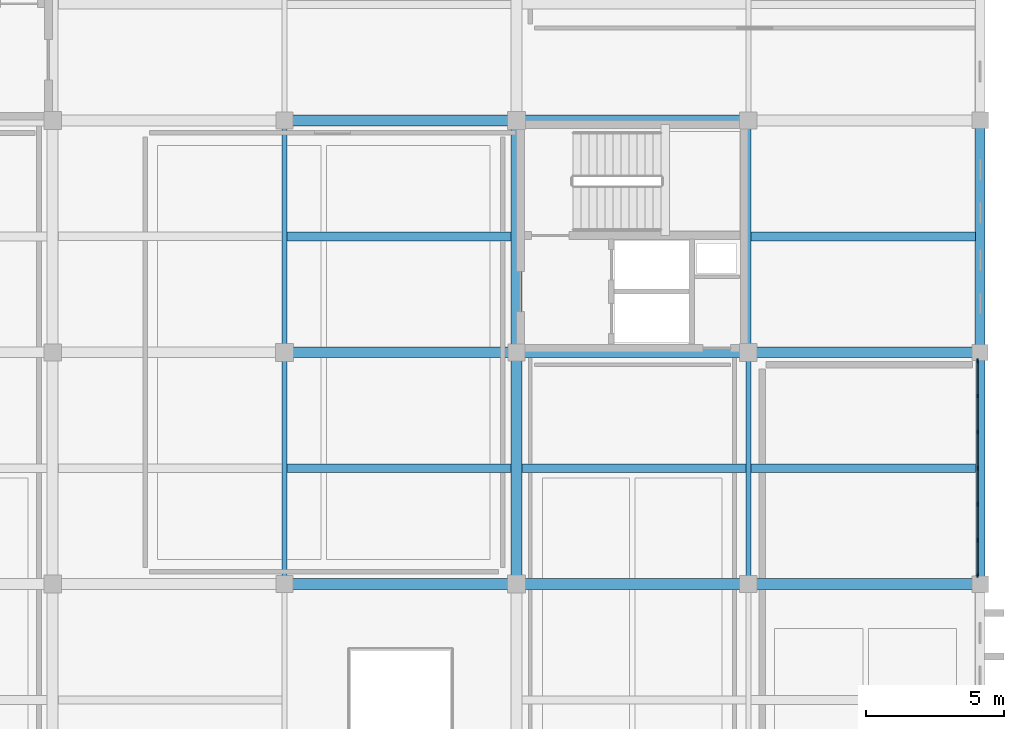
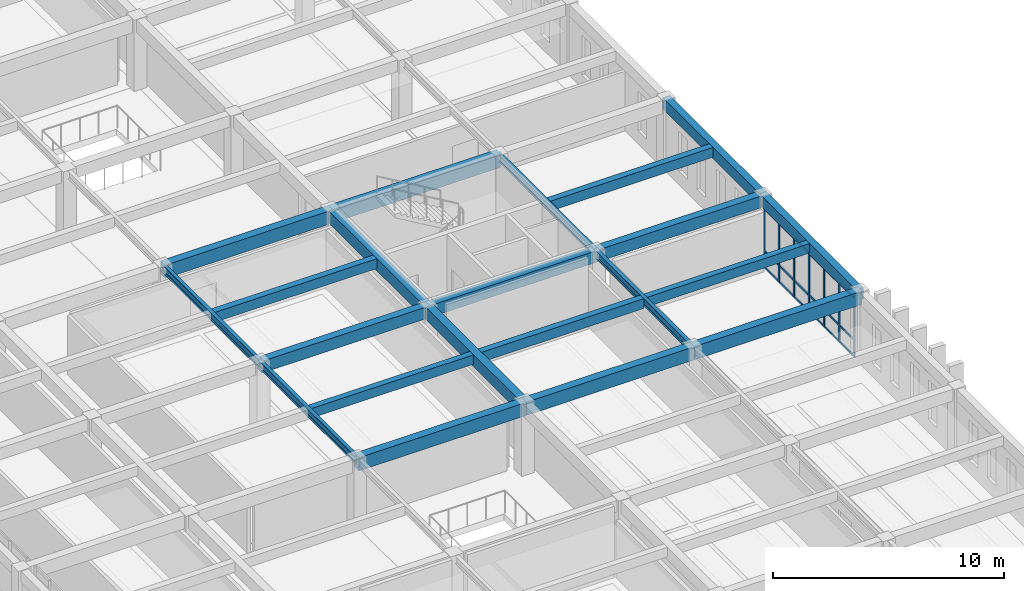
# One storey, part 19 of 47: 25 members, 21 beams, 1 element without a shape of its own.
"""IFC4 building model written with IfcOpenShell, lengths in metres."""

from ifc_helpers import new_model, si_unit, direction, frame, origin, origin_2d, place, context, subcontext, project, spatial, rectangle, i_section, extrude, material, layer, layer_set, material_profile, profile_set, type_object, element, aggregate, save


model = new_model("IFC4")

# Units and contexts
model_context = context("Model", 3, precision=1e-05, world=origin(), true_north=direction((0.0, 1.0)))
body_context = subcontext(model_context, "Body", "Model", "MODEL_VIEW")
ifc_project = project(units=[si_unit("LENGTHUNIT", "METRE"), si_unit("AREAUNIT", "SQUARE_METRE"), si_unit("VOLUMEUNIT", "CUBIC_METRE"), si_unit("PLANEANGLEUNIT", "RADIAN"), si_unit("MASSUNIT", "GRAM", prefix="KILO")], contexts=[model_context])

# Site, building, storey
site_placement = place(None, origin())
site = spatial("IfcSite", under=ifc_project, at=site_placement, CompositionType="ELEMENT")
building_placement = place(site_placement, origin())
building = spatial("IfcBuilding", under=site, at=building_placement, Name="Kveldsbrygga Polytechnic", CompositionType="ELEMENT")
storey_placement = place(building_placement, frame((0.0, 0.0, 13.93994140625)))
storey = spatial("IfcBuildingStorey", under=building, at=storey_placement, Name="L03", CompositionType="ELEMENT", Elevation=13.93994140625)

# Beams
ifc_material_1 = material(Name="Concrete C35/45", Category="concrete")
ifc_material_profile_1 = material_profile(ifc_material_1, rectangle(XDim=0.3798828125, YDim=0.6201171875, at=origin_2d()), Name="RC 380x620")
ifc_profile_set_1 = profile_set([ifc_material_profile_1], Name="Concrete C35/45")
beam_type_1 = type_object("IfcBeamType", Name="BM-RC-380x620", PredefinedType="BEAM", material=ifc_profile_set_1)
beam_1_placement = place(storey_placement, frame((142.800048828125, 75.60009765625, 3.43994140625), z_axis=(1.0, 0.0, 0.0), x_axis=(0.0, 1.0, 0.0)))
element("IfcBeam", 1, at=beam_1_placement, inside=storey, type_object=beam_type_1, Name="Primary Beam BMX-L03-17to18-09", PredefinedType="BEAM", context=body_context, shape_type="SweptSolid", body=[
    extrude(rectangle(XDim=0.3798828125, YDim=0.6201171875, at=origin_2d()), origin(), (0.0, 0.0, 1.0), 8.39990234375),
])
beam_2_placement = place(storey_placement, frame((151.199951171875, 75.60009765625, 3.43994140625), z_axis=(1.0, 0.0, 0.0), x_axis=(0.0, 1.0, 0.0)))
element("IfcBeam", 2, at=beam_2_placement, inside=storey, type_object=beam_type_1, Name="Primary Beam BMX-L03-18to19-09", PredefinedType="BEAM", context=body_context, shape_type="SweptSolid", body=[
    extrude(rectangle(XDim=0.3798828125, YDim=0.6201171875, at=origin_2d()), origin(), (0.0, 0.0, 1.0), 8.400146484375),
])
beam_3_placement = place(storey_placement, frame((159.60009765625, 75.60009765625, 3.43994140625), z_axis=(1.0, 0.0, 0.0), x_axis=(0.0, 1.0, 0.0)))
element("IfcBeam", 3, at=beam_3_placement, inside=storey, type_object=beam_type_1, Name="Primary Beam BMX-L03-19to20-09", PredefinedType="BEAM", context=body_context, shape_type="SweptSolid", body=[
    extrude(rectangle(XDim=0.3798828125, YDim=0.6201171875, at=origin_2d()), origin(), (0.0, 0.0, 1.0), 8.39990234375),
])
ifc_material_profile_2 = material_profile(ifc_material_1, rectangle(XDim=0.39990234375, YDim=0.64990234375, at=origin_2d()), Name="RC 400x650")
ifc_profile_set_2 = profile_set([ifc_material_profile_2], Name="Concrete C35/45")
beam_type_2 = type_object("IfcBeamType", Name="BM-RC-400x650", PredefinedType="BEAM", material=ifc_profile_set_2)
beam_4_placement = place(storey_placement, frame((151.199951171875, 67.199951171875, 3.425048828125), z_axis=(0.0, 1.0, 0.0), x_axis=(-1.0, 0.0, 0.0)))
element("IfcBeam", 4, at=beam_4_placement, inside=storey, type_object=beam_type_2, Name="Primary Beam BMY-L03-18-08to09", PredefinedType="BEAM", context=body_context, shape_type="SweptSolid", body=[
    extrude(rectangle(XDim=0.39990234375, YDim=0.64990234375, at=origin_2d()), origin(), (0.0, 0.0, 1.0), 8.400146484375),
])
beam_5_placement = place(storey_placement, frame((151.199951171875, 75.60009765625, 3.425048828125), z_axis=(0.0, 1.0, 0.0), x_axis=(-1.0, 0.0, 0.0)))
element("IfcBeam", 5, at=beam_5_placement, inside=storey, type_object=beam_type_2, Name="Primary Beam BMY-L03-18-09to10", PredefinedType="BEAM", context=body_context, shape_type="SweptSolid", body=[
    extrude(rectangle(XDim=0.39990234375, YDim=0.64990234375, at=origin_2d()), origin(), (0.0, 0.0, 1.0), 8.39990234375),
])
ifc_material_profile_3 = material_profile(ifc_material_1, rectangle(XDim=0.39990234375, YDim=0.699951171875, at=origin_2d()), Name="RC 400x700")
ifc_profile_set_3 = profile_set([ifc_material_profile_3], Name="Concrete C35/45")
beam_type_3 = type_object("IfcBeamType", Name="BM-RC-400x700", PredefinedType="BEAM", material=ifc_profile_set_3)
beam_6_placement = place(storey_placement, frame((142.800048828125, 67.199951171875, 3.400146484375), z_axis=(1.0, 0.0, 0.0), x_axis=(0.0, 1.0, 0.0)))
element("IfcBeam", 6, at=beam_6_placement, inside=storey, type_object=beam_type_3, Name="Primary Beam BMX-L03-17to18-08", PredefinedType="BEAM", context=body_context, shape_type="SweptSolid", body=[
    extrude(rectangle(XDim=0.39990234375, YDim=0.699951171875, at=origin_2d()), origin(), (0.0, 0.0, 1.0), 8.39990234375),
])
beam_7_placement = place(storey_placement, frame((151.199951171875, 67.199951171875, 3.400146484375), z_axis=(1.0, 0.0, 0.0), x_axis=(0.0, 1.0, 0.0)))
element("IfcBeam", 7, at=beam_7_placement, inside=storey, type_object=beam_type_3, Name="Primary Beam BMX-L03-18to19-08", PredefinedType="BEAM", context=body_context, shape_type="SweptSolid", body=[
    extrude(rectangle(XDim=0.39990234375, YDim=0.699951171875, at=origin_2d()), origin(), (0.0, 0.0, 1.0), 8.400146484375),
])
for number, where, z_axis, x_axis, name in (
    (8, (159.60009765625, 67.199951171875, 3.400146484375), (1.0, 0.0, 0.0), (0.0, 1.0, 0.0), "Primary Beam BMX-L03-19to20-08"),
    (9, (142.800048828125, 84.0, 3.400146484375), (1.0, 0.0, 0.0), (0.0, 1.0, 0.0), "Primary Beam BMX-L03-17to18-10"),
):
    element("IfcBeam", number, at=place(storey_placement, frame(where, z_axis=z_axis, x_axis=x_axis)), inside=storey, type_object=beam_type_3, Name=name, PredefinedType="BEAM", context=body_context, shape_type="SweptSolid", body=[
        extrude(rectangle(XDim=0.39990234375, YDim=0.699951171875, at=origin_2d()), origin(), (0.0, 0.0, 1.0), 8.39990234375),
    ])
beam_8_placement = place(storey_placement, frame((151.199951171875, 84.0, 3.400146484375), z_axis=(1.0, 0.0, 0.0), x_axis=(0.0, 1.0, 0.0)))
element("IfcBeam", 10, at=beam_8_placement, inside=storey, type_object=beam_type_3, Name="Primary Beam BMX-L03-18to19-10", PredefinedType="BEAM", context=body_context, shape_type="SweptSolid", body=[
    extrude(rectangle(XDim=0.39990234375, YDim=0.699951171875, at=origin_2d()), origin(), (0.0, 0.0, 1.0), 8.400146484375),
])
ifc_material_profile_4 = material_profile(ifc_material_1, rectangle(XDim=0.35009765625, YDim=0.60009765625, at=origin_2d()), Name="RC 350x600")
ifc_profile_set_4 = profile_set([ifc_material_profile_4], Name="Concrete C35/45")
beam_type_4 = type_object("IfcBeamType", Name="BM-SPANDREL-600", PredefinedType="T_BEAM", material=ifc_profile_set_4)
beam_9_placement = place(storey_placement, frame((168.0, 67.199951171875, 3.449951171875), z_axis=(0.0, 1.0, 0.0), x_axis=(-1.0, 0.0, 0.0)))
element("IfcBeam", 11, at=beam_9_placement, inside=storey, type_object=beam_type_4, Name="Primary Beam BMY-L03-20-08to09", PredefinedType="T_BEAM", context=body_context, shape_type="SweptSolid", body=[
    extrude(rectangle(XDim=0.35009765625, YDim=0.60009765625, at=origin_2d()), origin(), (0.0, 0.0, 1.0), 8.400146484375),
])
beam_10_placement = place(storey_placement, frame((168.0, 75.60009765625, 3.449951171875), z_axis=(0.0, 1.0, 0.0), x_axis=(-1.0, 0.0, 0.0)))
element("IfcBeam", 12, at=beam_10_placement, inside=storey, type_object=beam_type_4, Name="Primary Beam BMY-L03-20-09to10", PredefinedType="T_BEAM", context=body_context, shape_type="SweptSolid", body=[
    extrude(rectangle(XDim=0.35009765625, YDim=0.60009765625, at=origin_2d()), origin(), (0.0, 0.0, 1.0), 8.39990234375),
])
ifc_material_2 = material(Name="Steel S355", Category="steel")
ifc_material_profile_5 = material_profile(ifc_material_2, i_section(OverallWidth=0.179931640625, OverallDepth=0.39990234375, WebThickness=0.008544921875, FlangeThickness=0.013427734375, FilletRadius=0.02099609375, at=origin_2d()), Name="IPE 400")
ifc_profile_set_5 = profile_set([ifc_material_profile_5], Name="Steel S355")
beam_type_5 = type_object("IfcBeamType", Name="BM-STL-IPE400", PredefinedType="BEAM", material=ifc_profile_set_5)
beam_11_placement = place(storey_placement, frame((142.800048828125, 67.199951171875, 3.550048828125), z_axis=(0.0, 1.0, 0.0), x_axis=(-1.0, 0.0, 0.0)))
element("IfcBeam", 13, at=beam_11_placement, inside=storey, type_object=beam_type_5, Name="Primary Beam BMY-L03-17-08to09", PredefinedType="BEAM", context=body_context, shape_type="SweptSolid", body=[
    extrude(i_section(OverallWidth=0.179931640625, OverallDepth=0.39990234375, WebThickness=0.008544921875, FlangeThickness=0.013427734375, FilletRadius=0.02099609375, at=origin_2d()), origin(), (0.0, 0.0, 1.0), 8.400146484375),
])
beam_12_placement = place(storey_placement, frame((142.800048828125, 75.60009765625, 3.550048828125), z_axis=(0.0, 1.0, 0.0), x_axis=(-1.0, 0.0, 0.0)))
element("IfcBeam", 14, at=beam_12_placement, inside=storey, type_object=beam_type_5, Name="Primary Beam BMY-L03-17-09to10", PredefinedType="BEAM", context=body_context, shape_type="SweptSolid", body=[
    extrude(i_section(OverallWidth=0.179931640625, OverallDepth=0.39990234375, WebThickness=0.008544921875, FlangeThickness=0.013427734375, FilletRadius=0.02099609375, at=origin_2d()), origin(), (0.0, 0.0, 1.0), 8.39990234375),
])
beam_13_placement = place(storey_placement, frame((159.60009765625, 67.199951171875, 3.550048828125), z_axis=(0.0, 1.0, 0.0), x_axis=(-1.0, 0.0, 0.0)))
element("IfcBeam", 15, at=beam_13_placement, inside=storey, type_object=beam_type_5, Name="Primary Beam BMY-L03-19-08to09", PredefinedType="BEAM", context=body_context, shape_type="SweptSolid", body=[
    extrude(i_section(OverallWidth=0.179931640625, OverallDepth=0.39990234375, WebThickness=0.008544921875, FlangeThickness=0.013427734375, FilletRadius=0.02099609375, at=origin_2d()), origin(), (0.0, 0.0, 1.0), 8.400146484375),
])
beam_14_placement = place(storey_placement, frame((159.60009765625, 75.60009765625, 3.550048828125), z_axis=(0.0, 1.0, 0.0), x_axis=(-1.0, 0.0, 0.0)))
element("IfcBeam", 16, at=beam_14_placement, inside=storey, type_object=beam_type_5, Name="Primary Beam BMY-L03-19-09to10", PredefinedType="BEAM", context=body_context, shape_type="SweptSolid", body=[
    extrude(i_section(OverallWidth=0.179931640625, OverallDepth=0.39990234375, WebThickness=0.008544921875, FlangeThickness=0.013427734375, FilletRadius=0.02099609375, at=origin_2d()), origin(), (0.0, 0.0, 1.0), 8.39990234375),
])

# Curtain wall, members
ifc_material_3 = material(Name="Anodised aluminium AW-6060", Category="aluminium")
ifc_layer = layer(ifc_material_3, 0.179931640625)
ifc_layer_set = layer_set([ifc_layer], Name="Anodised aluminium AW-6060")
curtain_wall_type = type_object("IfcCurtainWallType", Name="CW-CONC-A", PredefinedType="USERDEFINED", material=ifc_layer_set)
curtain_wall_placement = place(storey_placement, origin())
curtain_wall = element("IfcCurtainWall", 17, at=curtain_wall_placement, inside=storey, type_object=curtain_wall_type, Name="Curtain Wall CW-L03-Y-20-08", ObjectType="UNITISED CURTAIN WALL", PredefinedType="USERDEFINED")
ifc_material_profile_6 = material_profile(ifc_material_3, rectangle(XDim=0.06005859375, YDim=0.139892578125, at=origin_2d()), Name="ALU 60x140")
ifc_profile_set_6 = profile_set([ifc_material_profile_6], Name="Anodised aluminium AW-6060")
member_type_1 = type_object("IfcMemberType", Name="CW-MUL-140", PredefinedType="MULLION", material=ifc_profile_set_6)
member_1_placement = place(storey_placement, frame((167.89990234375, 67.514892578125, 0.0), z_axis=(0.0, 0.0, 1.0), x_axis=(-1.0, 0.0, 0.0)))
member_1 = element("IfcMember", 18, at=member_1_placement, type_object=member_type_1, Name="CW-01 mullion 1", PredefinedType="MULLION", context=body_context, shape_type="SweptSolid", body=[
    extrude(rectangle(XDim=0.06005859375, YDim=0.139892578125, at=origin_2d()), origin(), (0.0, 0.0, 1.0), 3.150146484375),
])
member_2_placement = place(storey_placement, frame((167.89990234375, 68.791748046875, 0.0), z_axis=(0.0, 0.0, 1.0), x_axis=(-1.0, 0.0, 0.0)))
member_2 = element("IfcMember", 19, at=member_2_placement, type_object=member_type_1, Name="CW-01 mullion 2", PredefinedType="MULLION", context=body_context, shape_type="SweptSolid", body=[
    extrude(rectangle(XDim=0.06005859375, YDim=0.139892578125, at=origin_2d()), origin(), (0.0, 0.0, 1.0), 3.150146484375),
])
member_3_placement = place(storey_placement, frame((167.89990234375, 70.098388671875, 0.0), z_axis=(0.0, 0.0, 1.0), x_axis=(-1.0, 0.0, 0.0)))
member_3 = element("IfcMember", 20, at=member_3_placement, type_object=member_type_1, Name="CW-01 mullion 3", PredefinedType="MULLION", context=body_context, shape_type="SweptSolid", body=[
    extrude(rectangle(XDim=0.06005859375, YDim=0.139892578125, at=origin_2d()), origin(), (0.0, 0.0, 1.0), 3.150146484375),
])
member_4_placement = place(storey_placement, frame((167.89990234375, 71.405029296875, 0.0), z_axis=(0.0, 0.0, 1.0), x_axis=(-1.0, 0.0, 0.0)))
member_4 = element("IfcMember", 21, at=member_4_placement, type_object=member_type_1, Name="CW-01 mullion 4", PredefinedType="MULLION", context=body_context, shape_type="SweptSolid", body=[
    extrude(rectangle(XDim=0.06005859375, YDim=0.139892578125, at=origin_2d()), origin(), (0.0, 0.0, 1.0), 3.150146484375),
])
member_5_placement = place(storey_placement, frame((167.89990234375, 72.711669921875, 0.0), z_axis=(0.0, 0.0, 1.0), x_axis=(-1.0, 0.0, 0.0)))
member_5 = element("IfcMember", 22, at=member_5_placement, type_object=member_type_1, Name="CW-01 mullion 5", PredefinedType="MULLION", context=body_context, shape_type="SweptSolid", body=[
    extrude(rectangle(XDim=0.06005859375, YDim=0.139892578125, at=origin_2d()), origin(), (0.0, 0.0, 1.0), 3.150146484375),
])
member_6_placement = place(storey_placement, frame((167.89990234375, 74.018310546875, 0.0), z_axis=(0.0, 0.0, 1.0), x_axis=(-1.0, 0.0, 0.0)))
member_6 = element("IfcMember", 23, at=member_6_placement, type_object=member_type_1, Name="CW-01 mullion 6", PredefinedType="MULLION", context=body_context, shape_type="SweptSolid", body=[
    extrude(rectangle(XDim=0.06005859375, YDim=0.139892578125, at=origin_2d()), origin(), (0.0, 0.0, 1.0), 3.150146484375),
])
member_7_placement = place(storey_placement, frame((167.89990234375, 75.294921875, 0.0), z_axis=(0.0, 0.0, 1.0), x_axis=(-1.0, 0.0, 0.0)))
member_7 = element("IfcMember", 24, at=member_7_placement, type_object=member_type_1, Name="CW-01 mullion 7", PredefinedType="MULLION", context=body_context, shape_type="SweptSolid", body=[
    extrude(rectangle(XDim=0.06005859375, YDim=0.139892578125, at=origin_2d()), origin(), (0.0, 0.0, 1.0), 3.150146484375),
])
ifc_material_profile_7 = material_profile(ifc_material_3, rectangle(XDim=0.06005859375, YDim=0.1201171875, at=origin_2d()), Name="ALU 60x120")
ifc_profile_set_7 = profile_set([ifc_material_profile_7], Name="Anodised aluminium AW-6060")
member_type_2 = type_object("IfcMemberType", Name="CW-TRN-120", PredefinedType="USERDEFINED", material=ifc_profile_set_7)
member_8_placement = place(storey_placement, frame((167.89990234375, 67.544921875, 0.030029296875), z_axis=(0.0, 1.0, 0.0), x_axis=(-1.0, 0.0, 0.0)))
member_8 = element("IfcMember", 25, at=member_8_placement, type_object=member_type_2, Name="CW-01 transom 1.1", ObjectType="TRANSOM", PredefinedType="USERDEFINED", context=body_context, shape_type="SweptSolid", body=[
    extrude(rectangle(XDim=0.06005859375, YDim=0.1201171875, at=origin_2d()), origin(), (0.0, 0.0, 1.0), 1.216796875),
])
member_9_placement = place(storey_placement, frame((167.89990234375, 67.544921875, 0.900146484375), z_axis=(0.0, 1.0, 0.0), x_axis=(-1.0, 0.0, 0.0)))
member_9 = element("IfcMember", 26, at=member_9_placement, type_object=member_type_2, Name="CW-01 transom 1.2", ObjectType="TRANSOM", PredefinedType="USERDEFINED", context=body_context, shape_type="SweptSolid", body=[
    extrude(rectangle(XDim=0.06005859375, YDim=0.1201171875, at=origin_2d()), origin(), (0.0, 0.0, 1.0), 1.216796875),
])
member_10_placement = place(storey_placement, frame((167.89990234375, 67.544921875, 3.1201171875), z_axis=(0.0, 1.0, 0.0), x_axis=(-1.0, 0.0, 0.0)))
member_10 = element("IfcMember", 27, at=member_10_placement, type_object=member_type_2, Name="CW-01 transom 1.3", ObjectType="TRANSOM", PredefinedType="USERDEFINED", context=body_context, shape_type="SweptSolid", body=[
    extrude(rectangle(XDim=0.06005859375, YDim=0.1201171875, at=origin_2d()), origin(), (0.0, 0.0, 1.0), 1.216796875),
])
member_11_placement = place(storey_placement, frame((167.89990234375, 68.82177734375, 0.030029296875), z_axis=(0.0, 1.0, 0.0), x_axis=(-1.0, 0.0, 0.0)))
member_11 = element("IfcMember", 28, at=member_11_placement, type_object=member_type_2, Name="CW-01 transom 2.1", ObjectType="TRANSOM", PredefinedType="USERDEFINED", context=body_context, shape_type="SweptSolid", body=[
    extrude(rectangle(XDim=0.06005859375, YDim=0.1201171875, at=origin_2d()), origin(), (0.0, 0.0, 1.0), 1.24658203125),
])
member_12_placement = place(storey_placement, frame((167.89990234375, 68.82177734375, 0.900146484375), z_axis=(0.0, 1.0, 0.0), x_axis=(-1.0, 0.0, 0.0)))
member_12 = element("IfcMember", 29, at=member_12_placement, type_object=member_type_2, Name="CW-01 transom 2.2", ObjectType="TRANSOM", PredefinedType="USERDEFINED", context=body_context, shape_type="SweptSolid", body=[
    extrude(rectangle(XDim=0.06005859375, YDim=0.1201171875, at=origin_2d()), origin(), (0.0, 0.0, 1.0), 1.24658203125),
])
member_13_placement = place(storey_placement, frame((167.89990234375, 68.82177734375, 3.1201171875), z_axis=(0.0, 1.0, 0.0), x_axis=(-1.0, 0.0, 0.0)))
member_13 = element("IfcMember", 30, at=member_13_placement, type_object=member_type_2, Name="CW-01 transom 2.3", ObjectType="TRANSOM", PredefinedType="USERDEFINED", context=body_context, shape_type="SweptSolid", body=[
    extrude(rectangle(XDim=0.06005859375, YDim=0.1201171875, at=origin_2d()), origin(), (0.0, 0.0, 1.0), 1.24658203125),
])
member_14_placement = place(storey_placement, frame((167.89990234375, 70.12841796875, 0.030029296875), z_axis=(0.0, 1.0, 0.0), x_axis=(-1.0, 0.0, 0.0)))
member_14 = element("IfcMember", 31, at=member_14_placement, type_object=member_type_2, Name="CW-01 transom 3.1", ObjectType="TRANSOM", PredefinedType="USERDEFINED", context=body_context, shape_type="SweptSolid", body=[
    extrude(rectangle(XDim=0.06005859375, YDim=0.1201171875, at=origin_2d()), origin(), (0.0, 0.0, 1.0), 1.24658203125),
])
member_15_placement = place(storey_placement, frame((167.89990234375, 70.12841796875, 0.900146484375), z_axis=(0.0, 1.0, 0.0), x_axis=(-1.0, 0.0, 0.0)))
member_15 = element("IfcMember", 32, at=member_15_placement, type_object=member_type_2, Name="CW-01 transom 3.2", ObjectType="TRANSOM", PredefinedType="USERDEFINED", context=body_context, shape_type="SweptSolid", body=[
    extrude(rectangle(XDim=0.06005859375, YDim=0.1201171875, at=origin_2d()), origin(), (0.0, 0.0, 1.0), 1.24658203125),
])
member_16_placement = place(storey_placement, frame((167.89990234375, 70.12841796875, 3.1201171875), z_axis=(0.0, 1.0, 0.0), x_axis=(-1.0, 0.0, 0.0)))
member_16 = element("IfcMember", 33, at=member_16_placement, type_object=member_type_2, Name="CW-01 transom 3.3", ObjectType="TRANSOM", PredefinedType="USERDEFINED", context=body_context, shape_type="SweptSolid", body=[
    extrude(rectangle(XDim=0.06005859375, YDim=0.1201171875, at=origin_2d()), origin(), (0.0, 0.0, 1.0), 1.24658203125),
])
member_17_placement = place(storey_placement, frame((167.89990234375, 71.43505859375, 0.030029296875), z_axis=(0.0, 1.0, 0.0), x_axis=(-1.0, 0.0, 0.0)))
member_17 = element("IfcMember", 34, at=member_17_placement, type_object=member_type_2, Name="CW-01 transom 4.1", ObjectType="TRANSOM", PredefinedType="USERDEFINED", context=body_context, shape_type="SweptSolid", body=[
    extrude(rectangle(XDim=0.06005859375, YDim=0.1201171875, at=origin_2d()), origin(), (0.0, 0.0, 1.0), 1.24658203125),
])
member_18_placement = place(storey_placement, frame((167.89990234375, 71.43505859375, 0.900146484375), z_axis=(0.0, 1.0, 0.0), x_axis=(-1.0, 0.0, 0.0)))
member_18 = element("IfcMember", 35, at=member_18_placement, type_object=member_type_2, Name="CW-01 transom 4.2", ObjectType="TRANSOM", PredefinedType="USERDEFINED", context=body_context, shape_type="SweptSolid", body=[
    extrude(rectangle(XDim=0.06005859375, YDim=0.1201171875, at=origin_2d()), origin(), (0.0, 0.0, 1.0), 1.24658203125),
])
member_19_placement = place(storey_placement, frame((167.89990234375, 71.43505859375, 3.1201171875), z_axis=(0.0, 1.0, 0.0), x_axis=(-1.0, 0.0, 0.0)))
member_19 = element("IfcMember", 36, at=member_19_placement, type_object=member_type_2, Name="CW-01 transom 4.3", ObjectType="TRANSOM", PredefinedType="USERDEFINED", context=body_context, shape_type="SweptSolid", body=[
    extrude(rectangle(XDim=0.06005859375, YDim=0.1201171875, at=origin_2d()), origin(), (0.0, 0.0, 1.0), 1.24658203125),
])
member_20_placement = place(storey_placement, frame((167.89990234375, 72.74169921875, 0.030029296875), z_axis=(0.0, 1.0, 0.0), x_axis=(-1.0, 0.0, 0.0)))
member_20 = element("IfcMember", 37, at=member_20_placement, type_object=member_type_2, Name="CW-01 transom 5.1", ObjectType="TRANSOM", PredefinedType="USERDEFINED", context=body_context, shape_type="SweptSolid", body=[
    extrude(rectangle(XDim=0.06005859375, YDim=0.1201171875, at=origin_2d()), origin(), (0.0, 0.0, 1.0), 1.24658203125),
])
member_21_placement = place(storey_placement, frame((167.89990234375, 72.74169921875, 0.900146484375), z_axis=(0.0, 1.0, 0.0), x_axis=(-1.0, 0.0, 0.0)))
member_21 = element("IfcMember", 38, at=member_21_placement, type_object=member_type_2, Name="CW-01 transom 5.2", ObjectType="TRANSOM", PredefinedType="USERDEFINED", context=body_context, shape_type="SweptSolid", body=[
    extrude(rectangle(XDim=0.06005859375, YDim=0.1201171875, at=origin_2d()), origin(), (0.0, 0.0, 1.0), 1.24658203125),
])
member_22_placement = place(storey_placement, frame((167.89990234375, 72.74169921875, 3.1201171875), z_axis=(0.0, 1.0, 0.0), x_axis=(-1.0, 0.0, 0.0)))
member_22 = element("IfcMember", 39, at=member_22_placement, type_object=member_type_2, Name="CW-01 transom 5.3", ObjectType="TRANSOM", PredefinedType="USERDEFINED", context=body_context, shape_type="SweptSolid", body=[
    extrude(rectangle(XDim=0.06005859375, YDim=0.1201171875, at=origin_2d()), origin(), (0.0, 0.0, 1.0), 1.24658203125),
])
member_23_placement = place(storey_placement, frame((167.89990234375, 74.04833984375, 0.030029296875), z_axis=(0.0, 1.0, 0.0), x_axis=(-1.0, 0.0, 0.0)))
member_23 = element("IfcMember", 40, at=member_23_placement, type_object=member_type_2, Name="CW-01 transom 6.1", ObjectType="TRANSOM", PredefinedType="USERDEFINED", context=body_context, shape_type="SweptSolid", body=[
    extrude(rectangle(XDim=0.06005859375, YDim=0.1201171875, at=origin_2d()), origin(), (0.0, 0.0, 1.0), 1.216552734375),
])
member_24_placement = place(storey_placement, frame((167.89990234375, 74.04833984375, 0.900146484375), z_axis=(0.0, 1.0, 0.0), x_axis=(-1.0, 0.0, 0.0)))
member_24 = element("IfcMember", 41, at=member_24_placement, type_object=member_type_2, Name="CW-01 transom 6.2", ObjectType="TRANSOM", PredefinedType="USERDEFINED", context=body_context, shape_type="SweptSolid", body=[
    extrude(rectangle(XDim=0.06005859375, YDim=0.1201171875, at=origin_2d()), origin(), (0.0, 0.0, 1.0), 1.216552734375),
])
member_25_placement = place(storey_placement, frame((167.89990234375, 74.04833984375, 3.1201171875), z_axis=(0.0, 1.0, 0.0), x_axis=(-1.0, 0.0, 0.0)))
member_25 = element("IfcMember", 42, at=member_25_placement, type_object=member_type_2, Name="CW-01 transom 6.3", ObjectType="TRANSOM", PredefinedType="USERDEFINED", context=body_context, shape_type="SweptSolid", body=[
    extrude(rectangle(XDim=0.06005859375, YDim=0.1201171875, at=origin_2d()), origin(), (0.0, 0.0, 1.0), 1.216552734375),
])
aggregate(curtain_wall, [member_1, member_2, member_3, member_4, member_5, member_6, member_7, member_8, member_9, member_10, member_11, member_12, member_13, member_14, member_15, member_16, member_17, member_18, member_19, member_20, member_21, member_22, member_23, member_24, member_25])

# Beams
ifc_material_profile_8 = material_profile(ifc_material_1, rectangle(XDim=0.300048828125, YDim=0.5, at=origin_2d()), Name="RC 300x500")
ifc_profile_set_8 = profile_set([ifc_material_profile_8], Name="Concrete C35/45")
beam_type_6 = type_object("IfcBeamType", Name="JST-RC-300x500", PredefinedType="JOIST", material=ifc_profile_set_8)
beam_15_placement = place(storey_placement, frame((142.889892578125, 71.39990234375, 3.5), z_axis=(1.0, 0.0, 0.0), x_axis=(0.0, 1.0, 0.0)))
element("IfcBeam", 43, at=beam_15_placement, inside=storey, type_object=beam_type_6, Name="Secondary Joist JST-L03-17-08", PredefinedType="JOIST", context=body_context, shape_type="SweptSolid", body=[
    extrude(rectangle(XDim=0.300048828125, YDim=0.5, at=origin_2d()), origin(), (0.0, 0.0, 1.0), 8.110107421875),
])
beam_16_placement = place(storey_placement, frame((159.68994140625, 71.39990234375, 3.5), z_axis=(1.0, 0.0, 0.0), x_axis=(0.0, 1.0, 0.0)))
element("IfcBeam", 44, at=beam_16_placement, inside=storey, type_object=beam_type_6, Name="Secondary Joist JST-L03-19-08", PredefinedType="JOIST", context=body_context, shape_type="SweptSolid", body=[
    extrude(rectangle(XDim=0.300048828125, YDim=0.5, at=origin_2d()), origin(), (0.0, 0.0, 1.0), 8.135009765625),
])
ifc_material_profile_9 = material_profile(ifc_material_1, rectangle(XDim=0.320068359375, YDim=0.52001953125, at=origin_2d()), Name="RC 320x520")
ifc_profile_set_9 = profile_set([ifc_material_profile_9], Name="Concrete C35/45")
beam_type_7 = type_object("IfcBeamType", Name="JST-RC-320x520", PredefinedType="JOIST", material=ifc_profile_set_9)
for number, where, z_axis, x_axis, name in (
    (45, (142.889892578125, 79.800048828125, 3.489990234375), (1.0, 0.0, 0.0), (0.0, 1.0, 0.0), "Secondary Joist JST-L03-17-09"),
    (46, (151.39990234375, 71.39990234375, 3.489990234375), (1.0, 0.0, 0.0), (0.0, 1.0, 0.0), "Secondary Joist JST-L03-18-08"),
):
    element("IfcBeam", number, at=place(storey_placement, frame(where, z_axis=z_axis, x_axis=x_axis)), inside=storey, type_object=beam_type_7, Name=name, PredefinedType="JOIST", context=body_context, shape_type="SweptSolid", body=[
        extrude(rectangle(XDim=0.320068359375, YDim=0.52001953125, at=origin_2d()), origin(), (0.0, 0.0, 1.0), 8.110107421875),
    ])
beam_17_placement = place(storey_placement, frame((159.68994140625, 79.800048828125, 3.489990234375), z_axis=(1.0, 0.0, 0.0), x_axis=(0.0, 1.0, 0.0)))
element("IfcBeam", 47, at=beam_17_placement, inside=storey, type_object=beam_type_7, Name="Secondary Joist JST-L03-19-09", PredefinedType="JOIST", context=body_context, shape_type="SweptSolid", body=[
    extrude(rectangle(XDim=0.320068359375, YDim=0.52001953125, at=origin_2d()), origin(), (0.0, 0.0, 1.0), 8.135009765625),
])

save(model, "model.ifc")
